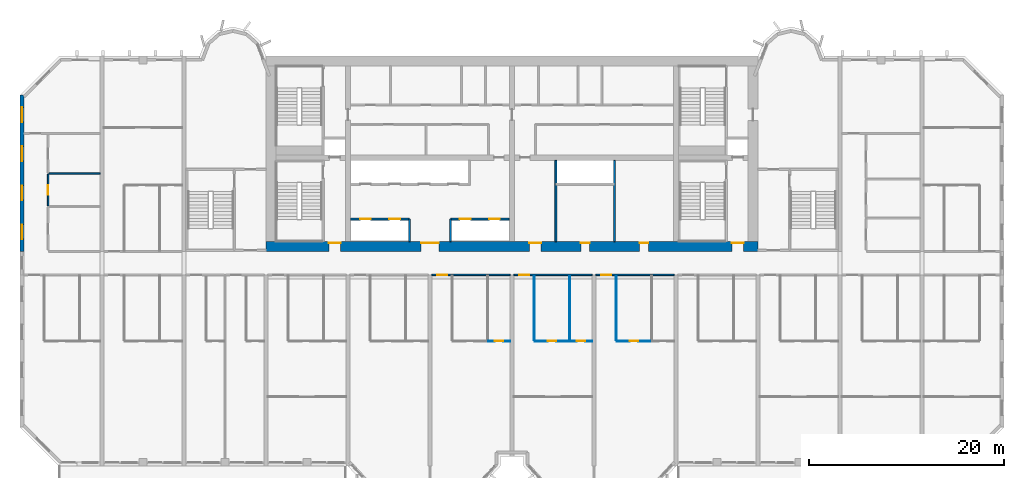
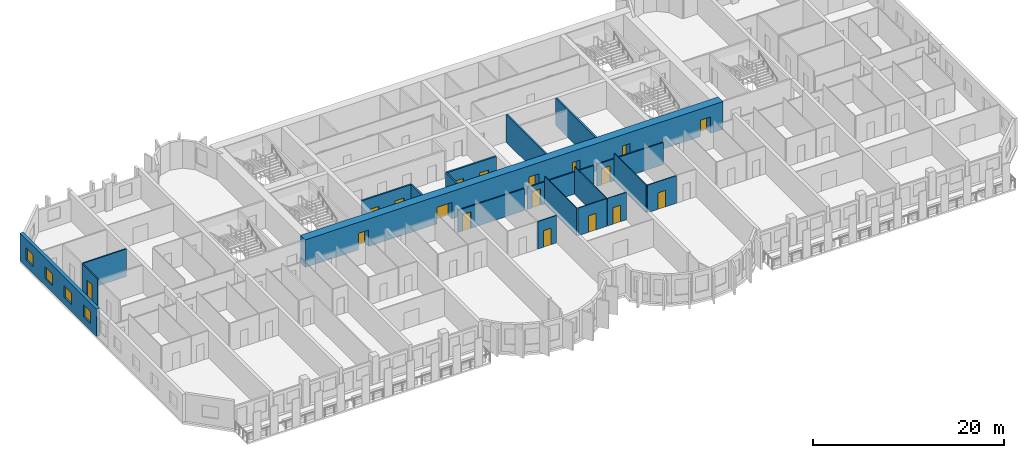
# One storey, part 5 of 15: 20 walls, 18 doors, 4 windows, 22 openings.
"""IFC4 building model written with IfcOpenShell, lengths in metres."""

from ifc_helpers import new_model, si_unit, direction, frame, frame_2d, origin, place, context, subcontext, project, spatial, rectangle, extrude, source, transform, mapped, material, layer, layer_set, type_object, element, fill, save


model = new_model("IFC4")

# Units and contexts
model_context = context("Model", 3, precision=1e-05, world=origin(), true_north=direction((0.0, 1.0)))
body_context = subcontext(model_context, "Body", "Model", "MODEL_VIEW")
ifc_project = project(units=[si_unit("LENGTHUNIT", "METRE"), si_unit("AREAUNIT", "SQUARE_METRE"), si_unit("VOLUMEUNIT", "CUBIC_METRE"), si_unit("PLANEANGLEUNIT", "RADIAN"), si_unit("MASSUNIT", "GRAM", prefix="KILO")], contexts=[model_context])

# Site, building, storey
site_placement = place(None, origin())
site = spatial("IfcSite", under=ifc_project, at=site_placement, CompositionType="ELEMENT")
building_placement = place(site_placement, origin())
building = spatial("IfcBuilding", under=site, at=building_placement, Name="Vanashikhar Sky Hotel", CompositionType="ELEMENT")
storey_placement = place(building_placement, frame((0.0, 0.0, 69.60009765625)))
storey = spatial("IfcBuildingStorey", under=building, at=storey_placement, Name="L16", CompositionType="ELEMENT", Elevation=69.60009765625)

# Wall, openings, doors
ifc_material_1 = material(Name="Concrete M80", Category="concrete")
ifc_layer_1 = layer(ifc_material_1, 1.0)
ifc_layer_set_1 = layer_set([ifc_layer_1], Name="RC core shell wall 1000 Concrete M80")
wall_type_1 = type_object("IfcWallType", Name="RC core shell wall 1000 Concrete M80", PredefinedType="SHEAR", material=ifc_layer_set_1)
shared_shape_1 = source(origin(), body_context, "Body", "SweptSolid", [
    extrude(rectangle(XDim=50.400146484375, YDim=1.0, at=frame_2d((25.2001953125, 0.0))), origin(), (0.0, 0.0, 1.0), 3.52001953125),
])
wall_1_placement = place(storey_placement, frame((25.199951171875, 22.5, 0.0), z_axis=(0.0, 0.0, 1.0), x_axis=(1.0, 0.0, 0.0)))
wall_1 = element("IfcWall", 1, at=wall_1_placement, inside=storey, type_object=wall_type_1, Name="KW-L16-KS", PredefinedType="SHEAR", context=body_context, shape_type="MappedRepresentation", body=[
    mapped(shared_shape_1, transform((0.0, 0.0, 0.0), scale=1.0)),
])
shared_shape_2 = source(origin(), body_context, "Body", "SweptSolid", [
    extrude(rectangle(XDim=1.800048828125, YDim=2.10009765625, at=frame_2d((0.89990234375, 1.050048828125))), frame((0.0, 0.510009765625, 0.0), z_axis=(0.0, -1.0, 0.0), x_axis=(1.0, 0.0, 0.0)), (0.0, 0.0, 1.0), 1.02001953125),
])
opening_1_placement = place(wall_1_placement, frame((15.89990234375, 0.0, 0.0)))
opening_1 = element("IfcOpeningElement", 2, at=opening_1_placement, cuts=wall_1, Name="Opening DC-3-A", PredefinedType="OPENING", context=body_context, shape_type="MappedRepresentation", body=[
    mapped(shared_shape_2, transform((0.0, 0.0, 0.0), scale=1.0)),
])
shared_shape_3 = source(origin(), body_context, "Body", "SweptSolid", [
    extrude(rectangle(XDim=1.199951171875, YDim=2.10009765625, at=frame_2d((0.60009765625, 1.050048828125))), frame((0.0, 0.510009765625, 0.0), z_axis=(0.0, -1.0, 0.0), x_axis=(1.0, 0.0, 0.0)), (0.0, 0.0, 1.0), 1.02001953125),
])
opening_2_placement = place(wall_1_placement, frame((26.987060546875, 0.0, 0.0)))
opening_2 = element("IfcOpeningElement", 3, at=opening_2_placement, cuts=wall_1, Name="Opening DC-4-B", PredefinedType="OPENING", context=body_context, shape_type="MappedRepresentation", body=[
    mapped(shared_shape_3, transform((0.0, 0.0, 0.0), scale=1.0)),
])
shared_shape_4 = source(origin(), body_context, "Body", "SweptSolid", [
    extrude(rectangle(XDim=0.89990234375, YDim=2.10009765625, at=frame_2d((0.449951171875, 1.050048828125))), frame((0.0, 0.510009765625, 0.0), z_axis=(0.0, -1.0, 0.0), x_axis=(1.0, 0.0, 0.0)), (0.0, 0.0, 1.0), 1.02001953125),
])
opening_3_placement = place(wall_1_placement, frame((32.25, 0.0, 0.0)))
opening_3 = element("IfcOpeningElement", 4, at=opening_3_placement, cuts=wall_1, Name="Opening DC-4-A", PredefinedType="OPENING", context=body_context, shape_type="MappedRepresentation", body=[
    mapped(shared_shape_4, transform((0.0, 0.0, 0.0), scale=1.0)),
])
opening_4_placement = place(wall_1_placement, frame((38.261962890625, 0.0, 0.0)))
opening_4 = element("IfcOpeningElement", 5, at=opening_4_placement, cuts=wall_1, Name="Opening DC-4-A", PredefinedType="OPENING", context=body_context, shape_type="MappedRepresentation", body=[
    mapped(shared_shape_4, transform((0.0, 0.0, 0.0), scale=1.0)),
])
opening_5_placement = place(wall_1_placement, frame((6.43798828125, 0.0, 0.0)))
opening_5 = element("IfcOpeningElement", 6, at=opening_5_placement, cuts=wall_1, Name="Opening DC-2", PredefinedType="OPENING", context=body_context, shape_type="MappedRepresentation", body=[
    mapped(shared_shape_3, transform((0.0, 0.0, 0.0), scale=1.0)),
])
opening_6_placement = place(wall_1_placement, frame((47.72509765625, 0.0, 0.0)))
opening_6 = element("IfcOpeningElement", 7, at=opening_6_placement, cuts=wall_1, Name="Opening DC-2", PredefinedType="OPENING", context=body_context, shape_type="MappedRepresentation", body=[
    mapped(shared_shape_3, transform((0.0, 0.0, 0.0), scale=1.0)),
])
ifc_material_2 = material(Name="Glass", Category="glass")
door_type_1 = type_object("IfcDoorType", Name="Lift lobby entrance door 1800 FD30S", OperationType="NOTDEFINED", PredefinedType="DOOR", material=ifc_material_2)
shared_shape_5 = source(origin(), body_context, "Body", "SweptSolid", [
    extrude(rectangle(XDim=1.800048828125, YDim=2.10009765625, at=frame_2d((0.89990234375, 1.050048828125))), frame((0.0, 0.375, 0.0), z_axis=(0.0, -1.0, 0.0), x_axis=(1.0, 0.0, 0.0)), (0.0, 0.0, 1.0), 0.050048828125),
])
door_1_placement = place(opening_1_placement, origin())
door_1 = element("IfcDoor", 8, at=door_1_placement, inside=storey, type_object=door_type_1, Name="Lift lobby entrance door 1800 FD30S", OperationType="DOUBLE_DOOR_SINGLE_SWING", OverallHeight=2.10009765625, OverallWidth=1.800048828125, PredefinedType="DOOR", context=body_context, shape_type="MappedRepresentation", body=[
    mapped(shared_shape_5, transform((0.0, 0.0, 0.0), scale=1.0)),
])
fill(opening_1, door_1)
ifc_material_3 = material(Name="Steel", Category="steel")
door_type_2 = type_object("IfcDoorType", Name="Service door 1200 FD60", OperationType="NOTDEFINED", PredefinedType="DOOR", material=ifc_material_3)
shared_shape_6 = source(origin(), body_context, "Body", "SweptSolid", [
    extrude(rectangle(XDim=1.199951171875, YDim=2.10009765625, at=frame_2d((0.60009765625, 1.050048828125))), frame((0.0, 0.375, 0.0), z_axis=(0.0, -1.0, 0.0), x_axis=(1.0, 0.0, 0.0)), (0.0, 0.0, 1.0), 0.050048828125),
])
door_2_placement = place(opening_2_placement, origin())
door_2 = element("IfcDoor", 9, at=door_2_placement, inside=storey, type_object=door_type_2, Name="Service door 1200 FD60", OperationType="SINGLE_SWING_LEFT", OverallHeight=2.10009765625, OverallWidth=1.199951171875, PredefinedType="DOOR", context=body_context, shape_type="MappedRepresentation", body=[
    mapped(shared_shape_6, transform((0.0, 0.0, 0.0), scale=1.0)),
])
fill(opening_2, door_2)
door_type_3 = type_object("IfcDoorType", Name="Firefighting lobby door 1200 FD120", OperationType="NOTDEFINED", PredefinedType="DOOR", material=ifc_material_3)
door_3_placement = place(opening_5_placement, origin())
door_3 = element("IfcDoor", 10, at=door_3_placement, inside=storey, type_object=door_type_3, Name="Firefighting lobby door 1200 FD120", OperationType="SINGLE_SWING_LEFT", OverallHeight=2.10009765625, OverallWidth=1.199951171875, PredefinedType="DOOR", context=body_context, shape_type="MappedRepresentation", body=[
    mapped(shared_shape_6, transform((0.0, 0.0, 0.0), scale=1.0)),
])
fill(opening_5, door_3)
door_4_placement = place(opening_6_placement, origin())
door_4 = element("IfcDoor", 11, at=door_4_placement, inside=storey, type_object=door_type_3, Name="Firefighting lobby door 1200 FD120", OperationType="SINGLE_SWING_RIGHT", OverallHeight=2.10009765625, OverallWidth=1.199951171875, PredefinedType="DOOR", context=body_context, shape_type="MappedRepresentation", body=[
    mapped(shared_shape_6, transform((0.0, 0.0, 0.0), scale=1.0)),
])
fill(opening_6, door_4)
door_type_4 = type_object("IfcDoorType", Name="Service door 900 FD60", OperationType="NOTDEFINED", PredefinedType="DOOR", material=ifc_material_3)
shared_shape_7 = source(origin(), body_context, "Body", "SweptSolid", [
    extrude(rectangle(XDim=0.89990234375, YDim=2.10009765625, at=frame_2d((0.449951171875, 1.050048828125))), frame((0.0, 0.375, 0.0), z_axis=(0.0, -1.0, 0.0), x_axis=(1.0, 0.0, 0.0)), (0.0, 0.0, 1.0), 0.050048828125),
])
door_5_placement = place(opening_3_placement, origin())
door_5 = element("IfcDoor", 12, at=door_5_placement, inside=storey, type_object=door_type_4, Name="Service door 900 FD60", OperationType="SINGLE_SWING_RIGHT", OverallHeight=2.10009765625, OverallWidth=0.89990234375, PredefinedType="DOOR", context=body_context, shape_type="MappedRepresentation", body=[
    mapped(shared_shape_7, transform((0.0, 0.0, 0.0), scale=1.0)),
])
fill(opening_3, door_5)
door_6_placement = place(opening_4_placement, origin())
door_6 = element("IfcDoor", 13, at=door_6_placement, inside=storey, type_object=door_type_4, Name="Service door 900 FD60", OperationType="SINGLE_SWING_LEFT", OverallHeight=2.10009765625, OverallWidth=0.89990234375, PredefinedType="DOOR", context=body_context, shape_type="MappedRepresentation", body=[
    mapped(shared_shape_7, transform((0.0, 0.0, 0.0), scale=1.0)),
])
fill(opening_4, door_6)

# Wall, openings, windows
ifc_layer_2 = layer(ifc_material_1, 0.39990234375)
ifc_layer_set_2 = layer_set([ifc_layer_2], Name="RC shear wall 400 Concrete M80")
wall_type_2 = type_object("IfcWallType", Name="RC shear wall 400 Concrete M80", PredefinedType="SHEAR", material=ifc_layer_set_2)
shared_shape_8 = source(origin(), body_context, "Body", "SweptSolid", [
    extrude(rectangle(XDim=16.0, YDim=0.39990234375, at=frame_2d((8.0, 0.0))), origin(), (0.0, 0.0, 1.0), 3.52001953125),
])
wall_2_placement = place(storey_placement, frame((0.199951171875, 22.0, 0.0), z_axis=(0.0, 0.0, 1.0), x_axis=(0.0, 1.0, 0.0)))
wall_2 = element("IfcWall", 14, at=wall_2_placement, inside=storey, type_object=wall_type_2, Name="CW-L16-XW01-2", PredefinedType="SHEAR", context=body_context, shape_type="MappedRepresentation", body=[
    mapped(shared_shape_8, transform((0.0, 0.0, 0.0), scale=1.0)),
])
shared_shape_9 = source(origin(), body_context, "Body", "SweptSolid", [
    extrude(rectangle(XDim=1.5, YDim=1.5, at=frame_2d((0.75, 0.75))), frame((0.0, 0.2099609375, 0.0), z_axis=(0.0, -1.0, 0.0), x_axis=(1.0, 0.0, 0.0)), (0.0, 0.0, 1.0), 0.419921875),
])
opening_7_placement = place(wall_2_placement, frame((1.25, 0.0, 0.89990234375)))
opening_7 = element("IfcOpeningElement", 15, at=opening_7_placement, cuts=wall_2, Name="Opening WN-1", PredefinedType="OPENING", context=body_context, shape_type="MappedRepresentation", body=[
    mapped(shared_shape_9, transform((0.0, 0.0, 0.0), scale=1.0)),
])
opening_8_placement = place(wall_2_placement, frame((5.25, 0.0, 0.89990234375)))
opening_8 = element("IfcOpeningElement", 16, at=opening_8_placement, cuts=wall_2, Name="Opening WN-1", PredefinedType="OPENING", context=body_context, shape_type="MappedRepresentation", body=[
    mapped(shared_shape_9, transform((0.0, 0.0, 0.0), scale=1.0)),
])
opening_9_placement = place(wall_2_placement, frame((9.25, 0.0, 0.89990234375)))
opening_9 = element("IfcOpeningElement", 17, at=opening_9_placement, cuts=wall_2, Name="Opening WN-1", PredefinedType="OPENING", context=body_context, shape_type="MappedRepresentation", body=[
    mapped(shared_shape_9, transform((0.0, 0.0, 0.0), scale=1.0)),
])
opening_10_placement = place(wall_2_placement, frame((13.25, 0.0, 0.89990234375)))
opening_10 = element("IfcOpeningElement", 18, at=opening_10_placement, cuts=wall_2, Name="Opening WN-1", PredefinedType="OPENING", context=body_context, shape_type="MappedRepresentation", body=[
    mapped(shared_shape_9, transform((0.0, 0.0, 0.0), scale=1.0)),
])
window_type = type_object("IfcWindowType", Name="Window 1500 x 1500", PartitioningType="SINGLE_PANEL", PredefinedType="WINDOW", material=ifc_material_2)
shared_shape_10 = source(origin(), body_context, "Body", "SweptSolid", [
    extrude(rectangle(XDim=1.5, YDim=1.5, at=frame_2d((0.75, 0.75))), frame((0.0, 0.030029296875, 0.0), z_axis=(0.0, -1.0, 0.0), x_axis=(1.0, 0.0, 0.0)), (0.0, 0.0, 1.0), 0.06005859375),
])
window_1_placement = place(opening_7_placement, origin())
window_1 = element("IfcWindow", 19, at=window_1_placement, inside=storey, type_object=window_type, Name="Window WN-1", OverallHeight=1.5, OverallWidth=1.5, PartitioningType="SINGLE_PANEL", PredefinedType="WINDOW", context=body_context, shape_type="MappedRepresentation", body=[
    mapped(shared_shape_10, transform((0.0, 0.0, 0.0), scale=1.0)),
])
fill(opening_7, window_1)
window_2_placement = place(opening_8_placement, origin())
window_2 = element("IfcWindow", 20, at=window_2_placement, inside=storey, type_object=window_type, Name="Window WN-1", OverallHeight=1.5, OverallWidth=1.5, PartitioningType="SINGLE_PANEL", PredefinedType="WINDOW", context=body_context, shape_type="MappedRepresentation", body=[
    mapped(shared_shape_10, transform((0.0, 0.0, 0.0), scale=1.0)),
])
fill(opening_8, window_2)
window_3_placement = place(opening_9_placement, origin())
window_3 = element("IfcWindow", 21, at=window_3_placement, inside=storey, type_object=window_type, Name="Window WN-1", OverallHeight=1.5, OverallWidth=1.5, PartitioningType="SINGLE_PANEL", PredefinedType="WINDOW", context=body_context, shape_type="MappedRepresentation", body=[
    mapped(shared_shape_10, transform((0.0, 0.0, 0.0), scale=1.0)),
])
fill(opening_9, window_3)
window_4_placement = place(opening_10_placement, origin())
window_4 = element("IfcWindow", 22, at=window_4_placement, inside=storey, type_object=window_type, Name="Window WN-1", OverallHeight=1.5, OverallWidth=1.5, PartitioningType="SINGLE_PANEL", PredefinedType="WINDOW", context=body_context, shape_type="MappedRepresentation", body=[
    mapped(shared_shape_10, transform((0.0, 0.0, 0.0), scale=1.0)),
])
fill(opening_10, window_4)

# Wall, openings, doors
ifc_material_4 = material(Name="Concrete M40", Category="concrete")
ifc_layer_3 = layer(ifc_material_4, 0.199951171875)
ifc_layer_set_3 = layer_set([ifc_layer_3], Name="Shaft wall 200")
wall_type_3 = type_object("IfcWallType", Name="Shaft wall 200", PredefinedType="SOLIDWALL", material=ifc_layer_set_3)
shared_shape_11 = source(origin(), body_context, "Body", "SweptSolid", [
    extrude(rectangle(XDim=6.0, YDim=0.199951171875, at=frame_2d((3.0, 0.0))), origin(), (0.0, 0.0, 1.0), 3.52001953125),
])
wall_3_placement = place(storey_placement, frame((44.10009765625, 25.300048828125, 0.0), z_axis=(0.0, 0.0, 1.0), x_axis=(1.0, 0.0, 0.0)))
wall_3 = element("IfcWall", 23, at=wall_3_placement, inside=storey, type_object=wall_type_3, Name="Shaft wall 200", PredefinedType="SOLIDWALL", context=body_context, shape_type="MappedRepresentation", body=[
    mapped(shared_shape_11, transform((0.0, 0.0, 0.0), scale=1.0)),
])
shared_shape_12 = source(origin(), body_context, "Body", "SweptSolid", [
    extrude(rectangle(XDim=1.10009765625, YDim=2.10009765625, at=frame_2d((0.550048828125, 1.050048828125))), frame((0.0, 0.10986328125, 0.0), z_axis=(0.0, -1.0, 0.0), x_axis=(1.0, 0.0, 0.0)), (0.0, 0.0, 1.0), 0.219970703125),
])
opening_11_placement = place(wall_3_placement, frame((0.949951171875, 0.0, 0.0)))
opening_11 = element("IfcOpeningElement", 24, at=opening_11_placement, cuts=wall_3, Name="Opening LD", PredefinedType="OPENING", context=body_context, shape_type="MappedRepresentation", body=[
    mapped(shared_shape_12, transform((0.0, 0.0, 0.0), scale=1.0)),
])
opening_12_placement = place(wall_3_placement, frame((3.949951171875, 0.0, 0.0)))
opening_12 = element("IfcOpeningElement", 25, at=opening_12_placement, cuts=wall_3, Name="Opening LD", PredefinedType="OPENING", context=body_context, shape_type="MappedRepresentation", body=[
    mapped(shared_shape_12, transform((0.0, 0.0, 0.0), scale=1.0)),
])
ifc_material_5 = material(Name="Stainless steel", Category="steel")
door_type_5 = type_object("IfcDoorType", Name="Lift landing door 1100", OperationType="NOTDEFINED", PredefinedType="DOOR", material=ifc_material_5)
shared_shape_13 = source(origin(), body_context, "Body", "SweptSolid", [
    extrude(rectangle(XDim=1.10009765625, YDim=2.10009765625, at=frame_2d((0.550048828125, 1.050048828125))), frame((0.0, 0.02490234375, 0.0), z_axis=(0.0, -1.0, 0.0), x_axis=(1.0, 0.0, 0.0)), (0.0, 0.0, 1.0), 0.050048828125),
])
door_7_placement = place(opening_11_placement, origin())
door_7 = element("IfcDoor", 26, at=door_7_placement, inside=storey, type_object=door_type_5, Name="Lift landing door 1100", OperationType="SLIDING_TO_LEFT", OverallHeight=2.10009765625, OverallWidth=1.10009765625, PredefinedType="DOOR", context=body_context, shape_type="MappedRepresentation", body=[
    mapped(shared_shape_13, transform((0.0, 0.0, 0.0), scale=1.0)),
])
fill(opening_11, door_7)
door_8_placement = place(opening_12_placement, origin())
door_8 = element("IfcDoor", 27, at=door_8_placement, inside=storey, type_object=door_type_5, Name="Lift landing door 1100", OperationType="SLIDING_TO_RIGHT", OverallHeight=2.10009765625, OverallWidth=1.10009765625, PredefinedType="DOOR", context=body_context, shape_type="MappedRepresentation", body=[
    mapped(shared_shape_13, transform((0.0, 0.0, 0.0), scale=1.0)),
])
fill(opening_12, door_8)

shared_shape_14 = source(origin(), body_context, "Body", "SweptSolid", [
    extrude(rectangle(XDim=6.02490234375, YDim=0.199951171875, at=frame_2d((3.012451171875, 0.0))), origin(), (0.0, 0.0, 1.0), 3.52001953125),
])
wall_4_placement = place(storey_placement, frame((33.875, 25.300048828125, 0.0), z_axis=(0.0, 0.0, 1.0), x_axis=(1.0, 0.0, 0.0)))
wall_4 = element("IfcWall", 28, at=wall_4_placement, inside=storey, type_object=wall_type_3, Name="Shaft wall 200", PredefinedType="SOLIDWALL", context=body_context, shape_type="MappedRepresentation", body=[
    mapped(shared_shape_14, transform((0.0, 0.0, 0.0), scale=1.0)),
])
opening_13_placement = place(wall_4_placement, frame((0.97509765625, 0.0, 0.0)))
opening_13 = element("IfcOpeningElement", 29, at=opening_13_placement, cuts=wall_4, Name="Opening LD", PredefinedType="OPENING", context=body_context, shape_type="MappedRepresentation", body=[
    mapped(shared_shape_12, transform((0.0, 0.0, 0.0), scale=1.0)),
])
opening_14_placement = place(wall_4_placement, frame((3.97509765625, 0.0, 0.0)))
opening_14 = element("IfcOpeningElement", 30, at=opening_14_placement, cuts=wall_4, Name="Opening LD", PredefinedType="OPENING", context=body_context, shape_type="MappedRepresentation", body=[
    mapped(shared_shape_12, transform((0.0, 0.0, 0.0), scale=1.0)),
])
door_9_placement = place(opening_13_placement, origin())
door_9 = element("IfcDoor", 31, at=door_9_placement, inside=storey, type_object=door_type_5, Name="Lift landing door 1100", OperationType="SLIDING_TO_LEFT", OverallHeight=2.10009765625, OverallWidth=1.10009765625, PredefinedType="DOOR", context=body_context, shape_type="MappedRepresentation", body=[
    mapped(shared_shape_13, transform((0.0, 0.0, 0.0), scale=1.0)),
])
fill(opening_13, door_9)
door_10_placement = place(opening_14_placement, origin())
door_10 = element("IfcDoor", 32, at=door_10_placement, inside=storey, type_object=door_type_5, Name="Lift landing door 1100", OperationType="SLIDING_TO_RIGHT", OverallHeight=2.10009765625, OverallWidth=1.10009765625, PredefinedType="DOOR", context=body_context, shape_type="MappedRepresentation", body=[
    mapped(shared_shape_13, transform((0.0, 0.0, 0.0), scale=1.0)),
])
fill(opening_14, door_10)

# Walls
shared_shape_15 = source(origin(), body_context, "Body", "SweptSolid", [
    extrude(rectangle(XDim=2.300048828125, YDim=0.199951171875, at=frame_2d((1.14990234375, 0.0))), origin(), (0.0, 0.0, 1.0), 3.52001953125),
])
for number, where, z_axis, x_axis, name in (
    (33, (39.89990234375, 23.0, 0.0), (0.0, 0.0, 1.0), (0.0, 1.0, 0.0), "Shaft wall 200"),
    (34, (44.10009765625, 23.0, 0.0), (0.0, 0.0, 1.0), (0.0, 1.0, 0.0), "Shaft wall 200"),
):
    element("IfcWall", number, at=place(storey_placement, frame(where, z_axis=z_axis, x_axis=x_axis)), inside=storey, type_object=wall_type_3, Name=name, PredefinedType="SOLIDWALL", context=body_context, shape_type="MappedRepresentation", body=[
        mapped(shared_shape_15, transform((0.0, 0.0, 0.0), scale=1.0)),
    ])
ifc_material_6 = material(Name="Gypsum board partition")
ifc_layer_4 = layer(ifc_material_6, 0.14990234375)
ifc_layer_set_4 = layer_set([ifc_layer_4], Name="Service partition 150")
wall_type_4 = type_object("IfcWallType", Name="Service partition 150", PredefinedType="PARTITIONING", material=ifc_layer_set_4)
shared_shape_16 = source(origin(), body_context, "Body", "SweptSolid", [
    extrude(rectangle(XDim=8.324951171875, YDim=0.199951171875, at=frame_2d((4.16259765625, 0.0))), origin(), (0.0, 0.0, 1.0), 3.52001953125),
])
for number, where, z_axis, x_axis, name in (
    (35, (54.89990234375, 23.0, 0.0), (0.0, 0.0, 1.0), (0.0, 1.0, 0.0), "Service partition 150"),
    (36, (60.89990234375, 23.0, 0.0), (0.0, 0.0, 1.0), (0.0, 1.0, 0.0), "Service partition 150"),
):
    element("IfcWall", number, at=place(storey_placement, frame(where, z_axis=z_axis, x_axis=x_axis)), inside=storey, type_object=wall_type_4, Name=name, PredefinedType="PARTITIONING", context=body_context, shape_type="MappedRepresentation", body=[
        mapped(shared_shape_16, transform((0.0, 0.0, 0.0), scale=1.0)),
    ])

# Wall, opening, door
ifc_material_7 = material(Name="Gypsum plasterboard partition")
ifc_layer_5 = layer(ifc_material_7, 0.14990234375)
ifc_layer_set_5 = layer_set([ifc_layer_5], Name="Corridor and demising partition 150")
wall_type_5 = type_object("IfcWallType", Name="Corridor and demising partition 150", PredefinedType="PARTITIONING", material=ifc_layer_set_5)
shared_shape_17 = source(origin(), body_context, "Body", "SweptSolid", [
    extrude(rectangle(XDim=3.25, YDim=0.14990234375, at=frame_2d((1.625, 0.0))), origin(), (0.0, 0.0, 1.0), 3.52001953125),
])
wall_5_placement = place(storey_placement, frame((2.875, 26.675048828125, 0.0), z_axis=(0.0, 0.0, 1.0), x_axis=(0.0, 1.0, 0.0)))
wall_5 = element("IfcWall", 37, at=wall_5_placement, inside=storey, type_object=wall_type_5, Name="W-L16-PW073", PredefinedType="PARTITIONING", context=body_context, shape_type="MappedRepresentation", body=[
    mapped(shared_shape_17, transform((0.0, 0.0, 0.0), scale=1.0)),
])
shared_shape_18 = source(origin(), body_context, "Body", "SweptSolid", [
    extrude(rectangle(XDim=1.0, YDim=2.10009765625, at=frame_2d((0.5, 1.050048828125))), frame((0.0, 0.0849609375, 0.0), z_axis=(0.0, -1.0, 0.0), x_axis=(1.0, 0.0, 0.0)), (0.0, 0.0, 1.0), 0.169921875),
])
opening_15_placement = place(wall_5_placement, frame((1.125, 0.0, 0.0)))
opening_15 = element("IfcOpeningElement", 38, at=opening_15_placement, cuts=wall_5, Name="Opening D-01", PredefinedType="OPENING", context=body_context, shape_type="MappedRepresentation", body=[
    mapped(shared_shape_18, transform((0.0, 0.0, 0.0), scale=1.0)),
])
ifc_material_8 = material(Name="Timber fire door", Category="wood")
door_type_6 = type_object("IfcDoorType", Name="Guest entry door 1000 FD30S", OperationType="NOTDEFINED", PredefinedType="DOOR", material=ifc_material_8)
shared_shape_19 = source(origin(), body_context, "Body", "SweptSolid", [
    extrude(rectangle(XDim=1.0, YDim=2.10009765625, at=frame_2d((0.5, 1.050048828125))), frame((0.0, 0.02490234375, 0.0), z_axis=(0.0, -1.0, 0.0), x_axis=(1.0, 0.0, 0.0)), (0.0, 0.0, 1.0), 0.050048828125),
])
door_11_placement = place(opening_15_placement, origin())
door_11 = element("IfcDoor", 39, at=door_11_placement, inside=storey, type_object=door_type_6, Name="D-L16-044", OperationType="SINGLE_SWING_LEFT", OverallHeight=2.10009765625, OverallWidth=1.0, PredefinedType="DOOR", context=body_context, shape_type="MappedRepresentation", body=[
    mapped(shared_shape_19, transform((0.0, 0.0, 0.0), scale=1.0)),
])
fill(opening_15, door_11)

ifc_layer_6 = layer(ifc_material_7, 0.10009765625)
ifc_layer_set_6 = layer_set([ifc_layer_6], Name="Wet room partition 100")
wall_type_6 = type_object("IfcWallType", Name="Wet room partition 100", PredefinedType="PARTITIONING", material=ifc_layer_set_6)
shared_shape_20 = source(origin(), body_context, "Body", "SweptSolid", [
    extrude(rectangle(XDim=3.5, YDim=0.10009765625, at=frame_2d((1.75, 0.0))), origin(), (0.0, 0.0, 1.0), 3.52001953125),
])
wall_6_placement = place(storey_placement, frame((52.75, 12.800048828125, 0.0), z_axis=(0.0, 0.0, 1.0), x_axis=(1.0, 0.0, 0.0)))
wall_6 = element("IfcWall", 40, at=wall_6_placement, inside=storey, type_object=wall_type_6, Name="W-L16-PW036", PredefinedType="PARTITIONING", context=body_context, shape_type="MappedRepresentation", body=[
    mapped(shared_shape_20, transform((0.0, 0.0, 0.0), scale=1.0)),
])
shared_shape_21 = source(origin(), body_context, "Body", "SweptSolid", [
    extrude(rectangle(XDim=0.89990234375, YDim=2.10009765625, at=frame_2d((0.449951171875, 1.050048828125))), frame((0.0, 0.06005859375, 0.0), z_axis=(0.0, -1.0, 0.0), x_axis=(1.0, 0.0, 0.0)), (0.0, 0.0, 1.0), 0.1201171875),
])
opening_16_placement = place(wall_6_placement, frame((1.300048828125, 0.0, 0.0)))
opening_16 = element("IfcOpeningElement", 41, at=opening_16_placement, cuts=wall_6, Name="Opening D-02", PredefinedType="OPENING", context=body_context, shape_type="MappedRepresentation", body=[
    mapped(shared_shape_21, transform((0.0, 0.0, 0.0), scale=1.0)),
])
ifc_material_9 = material(Name="Timber door", Category="wood")
door_type_7 = type_object("IfcDoorType", Name="Internal door 900", OperationType="NOTDEFINED", PredefinedType="DOOR", material=ifc_material_9)
shared_shape_22 = source(origin(), body_context, "Body", "SweptSolid", [
    extrude(rectangle(XDim=0.89990234375, YDim=2.10009765625, at=frame_2d((0.449951171875, 1.050048828125))), frame((0.0, 0.02490234375, 0.0), z_axis=(0.0, -1.0, 0.0), x_axis=(1.0, 0.0, 0.0)), (0.0, 0.0, 1.0), 0.050048828125),
])
door_12_placement = place(opening_16_placement, origin())
door_12 = element("IfcDoor", 42, at=door_12_placement, inside=storey, type_object=door_type_7, Name="D-L16-021", OperationType="SINGLE_SWING_LEFT", OverallHeight=2.10009765625, OverallWidth=0.89990234375, PredefinedType="DOOR", context=body_context, shape_type="MappedRepresentation", body=[
    mapped(shared_shape_22, transform((0.0, 0.0, 0.0), scale=1.0)),
])
fill(opening_16, door_12)

wall_7_placement = place(storey_placement, frame((61.14990234375, 12.800048828125, 0.0), z_axis=(0.0, 0.0, 1.0), x_axis=(1.0, 0.0, 0.0)))
wall_7 = element("IfcWall", 43, at=wall_7_placement, inside=storey, type_object=wall_type_6, Name="W-L16-PW042", PredefinedType="PARTITIONING", context=body_context, shape_type="MappedRepresentation", body=[
    mapped(shared_shape_20, transform((0.0, 0.0, 0.0), scale=1.0)),
])
opening_17_placement = place(wall_7_placement, frame((1.300048828125, 0.0, 0.0)))
opening_17 = element("IfcOpeningElement", 44, at=opening_17_placement, cuts=wall_7, Name="Opening D-02", PredefinedType="OPENING", context=body_context, shape_type="MappedRepresentation", body=[
    mapped(shared_shape_21, transform((0.0, 0.0, 0.0), scale=1.0)),
])
door_13_placement = place(opening_17_placement, origin())
door_13 = element("IfcDoor", 45, at=door_13_placement, inside=storey, type_object=door_type_7, Name="D-L16-025", OperationType="SINGLE_SWING_LEFT", OverallHeight=2.10009765625, OverallWidth=0.89990234375, PredefinedType="DOOR", context=body_context, shape_type="MappedRepresentation", body=[
    mapped(shared_shape_22, transform((0.0, 0.0, 0.0), scale=1.0)),
])
fill(opening_17, door_13)

# Wall
shared_shape_23 = source(origin(), body_context, "Body", "SweptSolid", [
    extrude(rectangle(XDim=5.25, YDim=0.14990234375, at=frame_2d((2.625, 0.0))), origin(), (0.0, 0.0, 1.0), 3.52001953125),
])
wall_8_placement = place(storey_placement, frame((2.949951171875, 30.0, 0.0), z_axis=(0.0, 0.0, 1.0), x_axis=(1.0, 0.0, 0.0)))
element("IfcWall", 46, at=wall_8_placement, inside=storey, type_object=wall_type_5, Name="W-L16-PW074", PredefinedType="PARTITIONING", context=body_context, shape_type="MappedRepresentation", body=[
    mapped(shared_shape_23, transform((0.0, 0.0, 0.0), scale=1.0)),
])

# Wall, opening, door
shared_shape_24 = source(origin(), body_context, "Body", "SweptSolid", [
    extrude(rectangle(XDim=8.0, YDim=0.14990234375, at=frame_2d((4.0, 0.0))), origin(), (0.0, 0.0, 1.0), 2.81982421875),
])
wall_9_placement = place(storey_placement, frame((42.199951171875, 19.60009765625, 0.0), z_axis=(0.0, 0.0, 1.0), x_axis=(1.0, 0.0, 0.0)))
wall_9 = element("IfcWall", 47, at=wall_9_placement, inside=storey, type_object=wall_type_5, Name="W-L16-PW033", PredefinedType="PARTITIONING", context=body_context, shape_type="MappedRepresentation", body=[
    mapped(shared_shape_24, transform((0.0, 0.0, 0.0), scale=1.0)),
])
opening_18_placement = place(wall_9_placement, frame((0.550048828125, 0.0, 0.0)))
opening_18 = element("IfcOpeningElement", 48, at=opening_18_placement, cuts=wall_9, Name="Opening D-01", PredefinedType="OPENING", context=body_context, shape_type="MappedRepresentation", body=[
    mapped(shared_shape_18, transform((0.0, 0.0, 0.0), scale=1.0)),
])
door_14_placement = place(opening_18_placement, origin())
door_14 = element("IfcDoor", 49, at=door_14_placement, inside=storey, type_object=door_type_6, Name="D-L16-020", OperationType="SINGLE_SWING_LEFT", OverallHeight=2.10009765625, OverallWidth=1.0, PredefinedType="DOOR", context=body_context, shape_type="MappedRepresentation", body=[
    mapped(shared_shape_19, transform((0.0, 0.0, 0.0), scale=1.0)),
])
fill(opening_18, door_14)

wall_10_placement = place(storey_placement, frame((50.60009765625, 19.60009765625, 0.0), z_axis=(0.0, 0.0, 1.0), x_axis=(1.0, 0.0, 0.0)))
wall_10 = element("IfcWall", 50, at=wall_10_placement, inside=storey, type_object=wall_type_5, Name="W-L16-PW039", PredefinedType="PARTITIONING", context=body_context, shape_type="MappedRepresentation", body=[
    mapped(shared_shape_24, transform((0.0, 0.0, 0.0), scale=1.0)),
])
opening_19_placement = place(wall_10_placement, frame((0.550048828125, 0.0, 0.0)))
opening_19 = element("IfcOpeningElement", 51, at=opening_19_placement, cuts=wall_10, Name="Opening D-01", PredefinedType="OPENING", context=body_context, shape_type="MappedRepresentation", body=[
    mapped(shared_shape_18, transform((0.0, 0.0, 0.0), scale=1.0)),
])
door_15_placement = place(opening_19_placement, origin())
door_15 = element("IfcDoor", 52, at=door_15_placement, inside=storey, type_object=door_type_6, Name="D-L16-024", OperationType="SINGLE_SWING_LEFT", OverallHeight=2.10009765625, OverallWidth=1.0, PredefinedType="DOOR", context=body_context, shape_type="MappedRepresentation", body=[
    mapped(shared_shape_19, transform((0.0, 0.0, 0.0), scale=1.0)),
])
fill(opening_19, door_15)

wall_11_placement = place(storey_placement, frame((59.0, 19.60009765625, 0.0), z_axis=(0.0, 0.0, 1.0), x_axis=(1.0, 0.0, 0.0)))
wall_11 = element("IfcWall", 53, at=wall_11_placement, inside=storey, type_object=wall_type_5, Name="W-L16-PW044", PredefinedType="PARTITIONING", context=body_context, shape_type="MappedRepresentation", body=[
    mapped(shared_shape_24, transform((0.0, 0.0, 0.0), scale=1.0)),
])
opening_20_placement = place(wall_11_placement, frame((0.550048828125, 0.0, 0.0)))
opening_20 = element("IfcOpeningElement", 54, at=opening_20_placement, cuts=wall_11, Name="Opening D-01", PredefinedType="OPENING", context=body_context, shape_type="MappedRepresentation", body=[
    mapped(shared_shape_18, transform((0.0, 0.0, 0.0), scale=1.0)),
])
door_16_placement = place(opening_20_placement, origin())
door_16 = element("IfcDoor", 55, at=door_16_placement, inside=storey, type_object=door_type_6, Name="D-L16-027", OperationType="SINGLE_SWING_LEFT", OverallHeight=2.10009765625, OverallWidth=1.0, PredefinedType="DOOR", context=body_context, shape_type="MappedRepresentation", body=[
    mapped(shared_shape_19, transform((0.0, 0.0, 0.0), scale=1.0)),
])
fill(opening_20, door_16)

# Walls
shared_shape_25 = source(origin(), body_context, "Body", "SweptSolid", [
    extrude(rectangle(XDim=6.64990234375, YDim=0.10009765625, at=frame_2d((3.324951171875, 0.0))), origin(), (0.0, 0.0, 1.0), 3.52001953125),
])
for number, where, z_axis, x_axis, name in (
    (56, (52.699951171875, 12.875, 0.0), (0.0, 0.0, 1.0), (0.0, 1.0, 0.0), "W-L16-PW034"),
    (57, (56.300048828125, 12.875, 0.0), (0.0, 0.0, 1.0), (0.0, 1.0, 0.0), "W-L16-PW035"),
    (58, (61.10009765625, 12.875, 0.0), (0.0, 0.0, 1.0), (0.0, 1.0, 0.0), "W-L16-PW040"),
):
    element("IfcWall", number, at=place(storey_placement, frame(where, z_axis=z_axis, x_axis=x_axis)), inside=storey, type_object=wall_type_6, Name=name, PredefinedType="PARTITIONING", context=body_context, shape_type="MappedRepresentation", body=[
        mapped(shared_shape_25, transform((0.0, 0.0, 0.0), scale=1.0)),
    ])

# Wall, opening, door
shared_shape_26 = source(origin(), body_context, "Body", "SweptSolid", [
    extrude(rectangle(XDim=2.25, YDim=0.10009765625, at=frame_2d((1.125, 0.0))), origin(), (0.0, 0.0, 1.0), 3.52001953125),
])
wall_12_placement = place(storey_placement, frame((47.949951171875, 12.800048828125, 0.0), z_axis=(0.0, 0.0, 1.0), x_axis=(1.0, 0.0, 0.0)))
wall_12 = element("IfcWall", 59, at=wall_12_placement, inside=storey, type_object=wall_type_6, Name="W-L16-PW032", PredefinedType="PARTITIONING", context=body_context, shape_type="MappedRepresentation", body=[
    mapped(shared_shape_26, transform((0.0, 0.0, 0.0), scale=1.0)),
])
opening_21_placement = place(wall_12_placement, frame((0.675048828125, 0.0, 0.0)))
opening_21 = element("IfcOpeningElement", 60, at=opening_21_placement, cuts=wall_12, Name="Opening D-02", PredefinedType="OPENING", context=body_context, shape_type="MappedRepresentation", body=[
    mapped(shared_shape_21, transform((0.0, 0.0, 0.0), scale=1.0)),
])
door_17_placement = place(opening_21_placement, origin())
door_17 = element("IfcDoor", 61, at=door_17_placement, inside=storey, type_object=door_type_7, Name="D-L16-019", OperationType="SINGLE_SWING_LEFT", OverallHeight=2.10009765625, OverallWidth=0.89990234375, PredefinedType="DOOR", context=body_context, shape_type="MappedRepresentation", body=[
    mapped(shared_shape_22, transform((0.0, 0.0, 0.0), scale=1.0)),
])
fill(opening_21, door_17)

wall_13_placement = place(storey_placement, frame((56.35009765625, 12.800048828125, 0.0), z_axis=(0.0, 0.0, 1.0), x_axis=(1.0, 0.0, 0.0)))
wall_13 = element("IfcWall", 62, at=wall_13_placement, inside=storey, type_object=wall_type_6, Name="W-L16-PW037", PredefinedType="PARTITIONING", context=body_context, shape_type="MappedRepresentation", body=[
    mapped(shared_shape_26, transform((0.0, 0.0, 0.0), scale=1.0)),
])
opening_22_placement = place(wall_13_placement, frame((0.675048828125, 0.0, 0.0)))
opening_22 = element("IfcOpeningElement", 63, at=opening_22_placement, cuts=wall_13, Name="Opening D-02", PredefinedType="OPENING", context=body_context, shape_type="MappedRepresentation", body=[
    mapped(shared_shape_21, transform((0.0, 0.0, 0.0), scale=1.0)),
])
door_18_placement = place(opening_22_placement, origin())
door_18 = element("IfcDoor", 64, at=door_18_placement, inside=storey, type_object=door_type_7, Name="D-L16-022", OperationType="SINGLE_SWING_LEFT", OverallHeight=2.10009765625, OverallWidth=0.89990234375, PredefinedType="DOOR", context=body_context, shape_type="MappedRepresentation", body=[
    mapped(shared_shape_22, transform((0.0, 0.0, 0.0), scale=1.0)),
])
fill(opening_22, door_18)

save(model, "model.ifc")
